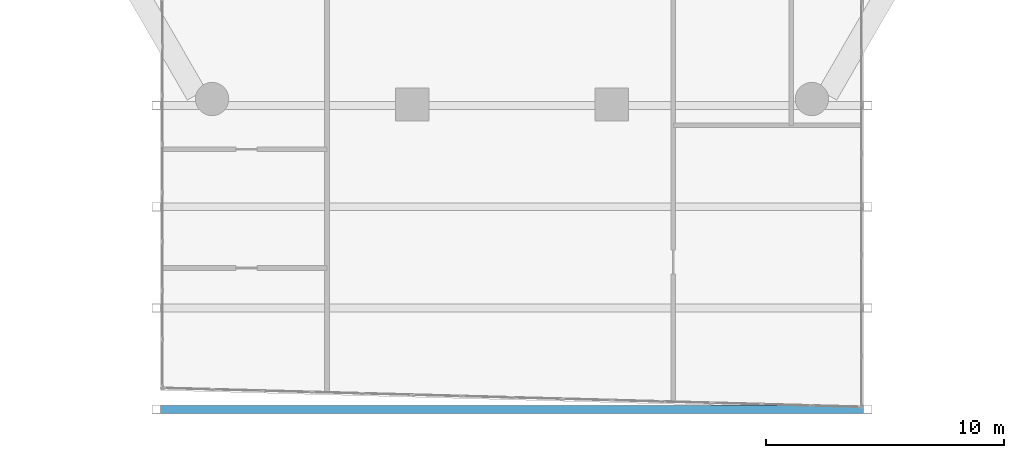
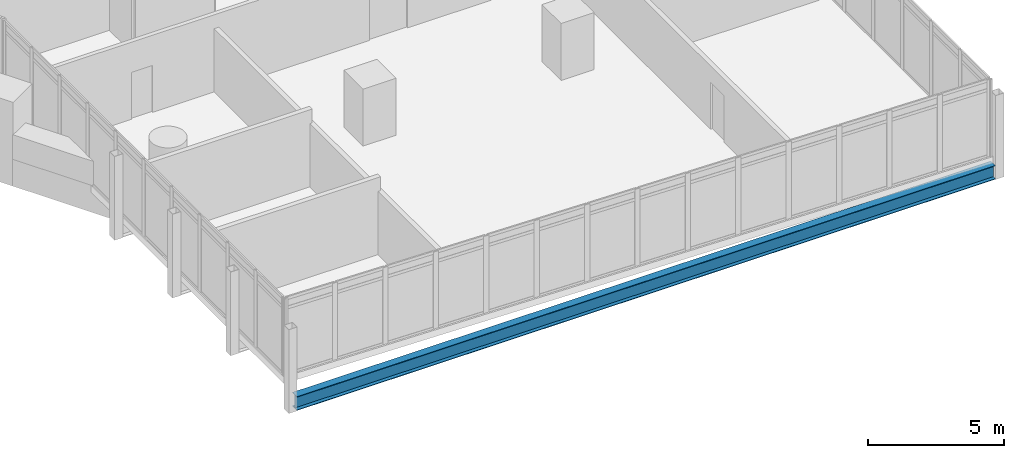
# One storey, part 4 of 28: 1 beam.
"""IFC4 building model written with IfcOpenShell, lengths in metres."""

from ifc_helpers import new_model, si_unit, direction, frame, origin, origin_2d, place, context, subcontext, project, spatial, i_section, extrude, material, material_profile, profile_set, type_object, element, save


model = new_model("IFC4")

# Units and contexts
model_context = context("Model", 3, precision=1e-05, world=origin(), true_north=direction((0.0, 1.0)))
body_context = subcontext(model_context, "Body", "Model", "MODEL_VIEW")
ifc_project = project(units=[si_unit("LENGTHUNIT", "METRE"), si_unit("AREAUNIT", "SQUARE_METRE"), si_unit("VOLUMEUNIT", "CUBIC_METRE"), si_unit("PLANEANGLEUNIT", "RADIAN"), si_unit("MASSUNIT", "GRAM", prefix="KILO")], contexts=[model_context])

# Site, building, storey
site_placement = place(None, origin())
site = spatial("IfcSite", under=ifc_project, at=site_placement, CompositionType="ELEMENT")
building_placement = place(site_placement, origin())
building = spatial("IfcBuilding", under=site, at=building_placement, Name="Ostrander Bayou Hotel Tower", CompositionType="ELEMENT")
storey_placement = place(building_placement, frame((0.0, 0.0, 73.0)))
storey = spatial("IfcBuildingStorey", under=building, at=storey_placement, Name="L18", CompositionType="ELEMENT", Elevation=73.0)

# Beam
ifc_material = material(Name="Steel ASTM A992", Category="steel")
ifc_material_profile = material_profile(ifc_material, i_section(OverallWidth=0.32763671875, OverallDepth=0.621826171875, WebThickness=0.015380859375, FlangeThickness=0.0244140625, at=origin_2d()))
ifc_profile_set = profile_set([ifc_material_profile], Name="Steel ASTM A992")
beam_type = type_object("IfcBeamType", Name="TF1 bar floor beam W24x131", PredefinedType="BEAM", material=ifc_profile_set)
beam_placement = place(storey_placement, frame((-14.787109375, -32.949951171875, -0.61083984375), z_axis=(1.0, 0.0, 0.0), x_axis=(0.0, 1.0, 0.0)))
element("IfcBeam", 1, at=beam_placement, inside=storey, type_object=beam_type, Name="TF1 SB1S L3-4", PredefinedType="BEAM", context=body_context, shape_type="SweptSolid", body=[
    extrude(i_section(OverallWidth=0.32763671875, OverallDepth=0.621826171875, WebThickness=0.015380859375, FlangeThickness=0.0244140625, at=origin_2d()), origin(), (0.0, 0.0, 1.0), 29.57421875),
])

save(model, "model.ifc")
